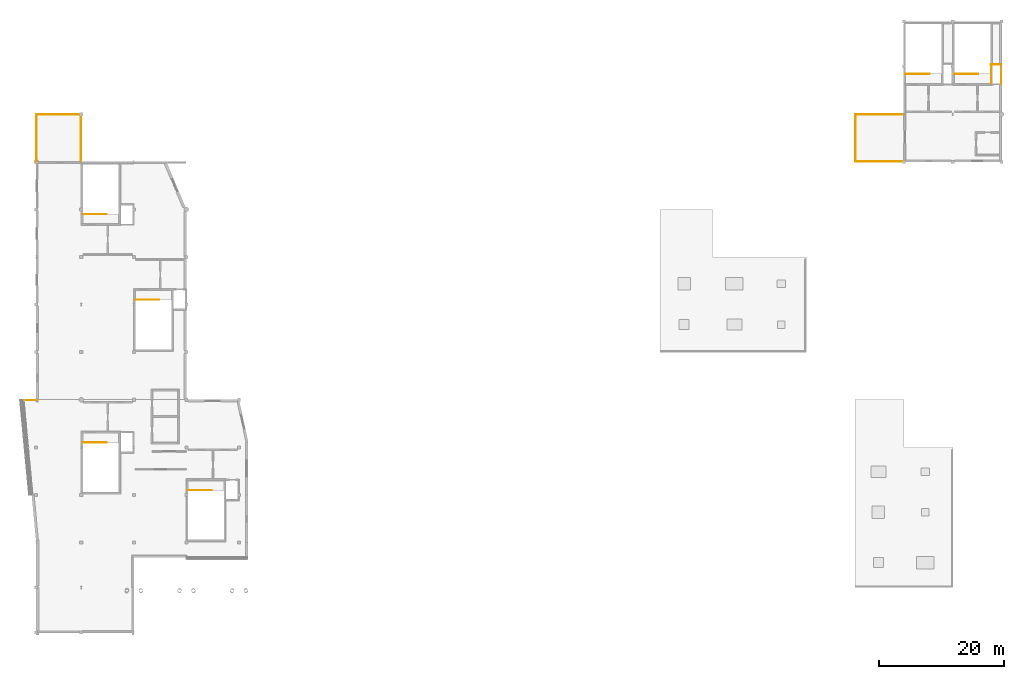
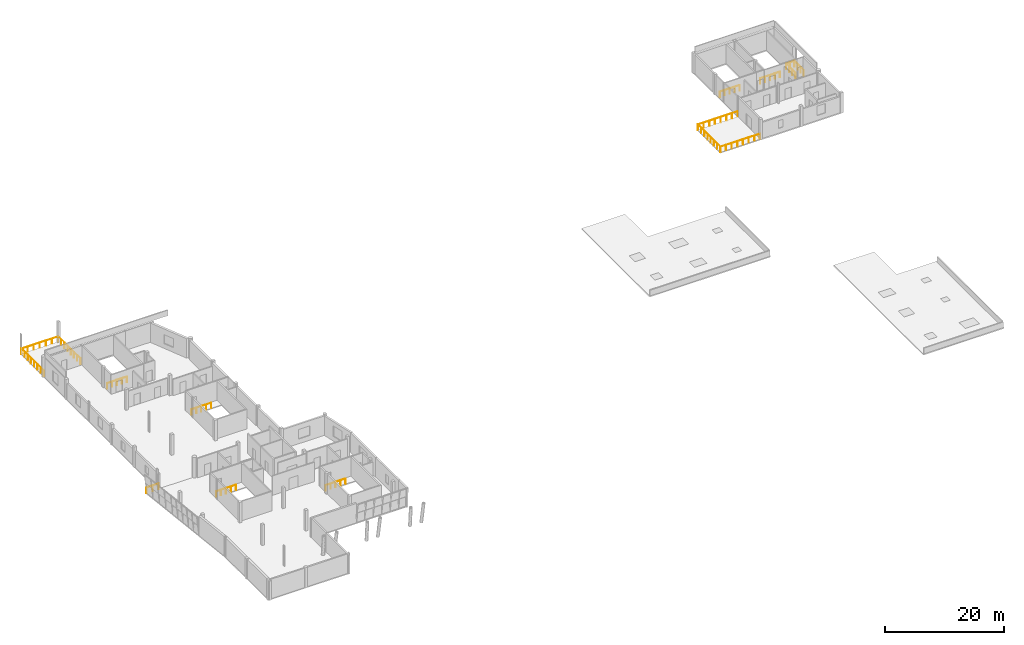
# One storey, part 17 of 17: 15 railings.
"""IFC4 building model written with IfcOpenShell, lengths in metres."""

from ifc_helpers import new_model, si_unit, direction, frame, origin, origin_2d, place, context, subcontext, project, spatial, circle, extrude, material, type_object, element, save


model = new_model("IFC4")

# Units and contexts
model_context = context("Model", 3, precision=1e-05, world=origin(), true_north=direction((0.0, 1.0)))
body_context = subcontext(model_context, "Body", "Model", "MODEL_VIEW")
ifc_project = project(units=[si_unit("LENGTHUNIT", "METRE"), si_unit("AREAUNIT", "SQUARE_METRE"), si_unit("VOLUMEUNIT", "CUBIC_METRE"), si_unit("PLANEANGLEUNIT", "RADIAN"), si_unit("MASSUNIT", "GRAM", prefix="KILO")], contexts=[model_context])

# Site, building, storey
site_placement = place(None, origin())
site = spatial("IfcSite", under=ifc_project, at=site_placement, CompositionType="ELEMENT")
building_placement = place(site_placement, origin())
building = spatial("IfcBuilding", under=site, at=building_placement, Name="Xicomal Pleat Aquarium", CompositionType="ELEMENT")
storey_placement = place(building_placement, frame((0.0, 0.0, 19.800048828125)))
storey = spatial("IfcBuildingStorey", under=building, at=storey_placement, Name="L05", CompositionType="ELEMENT", Elevation=19.800048828125)

# Railings
ifc_material_1 = material(Name="Stainless steel 316L and laminated safety glass", Category="steel")
railing_type_1 = type_object("IfcRailingType", Name="RAL-GRD-1120", PredefinedType="GUARDRAIL", material=ifc_material_1)
railing_1_placement = place(storey_placement, frame((3.06005859375, 83.5400390625, 0.0)))
element("IfcRailing", 1, at=railing_1_placement, inside=storey, type_object=railing_type_1, Name="L05 terrace perimeter guard 11", PredefinedType="GUARDRAIL", context=body_context, shape_type="SweptSolid", body=[
    extrude(circle(Radius=0.02392578125, at=origin_2d()), frame((0.0, 0.0, 1.09619140625), z_axis=(1.0, 0.0, 0.0), x_axis=(0.0, 1.0, 0.0)), (0.0, 0.0, 1.0), 7.079833984375),
    extrude(circle(Radius=0.02099609375, at=origin_2d()), origin(), (0.0, 0.0, 1.0), 1.072021484375),
    extrude(circle(Radius=0.02099609375, at=origin_2d()), frame((1.179931640625, 0.0, 0.0)), (0.0, 0.0, 1.0), 1.072021484375),
    extrude(circle(Radius=0.02099609375, at=origin_2d()), frame((2.35986328125, 0.0, 0.0)), (0.0, 0.0, 1.0), 1.072021484375),
    extrude(circle(Radius=0.02099609375, at=origin_2d()), frame((3.5400390625, 0.0, 0.0)), (0.0, 0.0, 1.0), 1.072021484375),
    extrude(circle(Radius=0.02099609375, at=origin_2d()), frame((4.719970703125, 0.0, 0.0)), (0.0, 0.0, 1.0), 1.072021484375),
    extrude(circle(Radius=0.02099609375, at=origin_2d()), frame((5.89990234375, 0.0, 0.0)), (0.0, 0.0, 1.0), 1.072021484375),
    extrude(circle(Radius=0.02099609375, at=origin_2d()), frame((7.079833984375, 0.0, 0.0)), (0.0, 0.0, 1.0), 1.072021484375),
])
railing_2_placement = place(storey_placement, frame((133.860107421875, 76.06005859375, 0.0)))
element("IfcRailing", 2, at=railing_2_placement, inside=storey, type_object=railing_type_1, Name="L05 terrace perimeter guard 13", PredefinedType="GUARDRAIL", context=body_context, shape_type="SweptSolid", body=[
    extrude(circle(Radius=0.02392578125, at=origin_2d()), frame((0.0, 0.0, 1.09619140625), z_axis=(0.0, 1.0, 0.0), x_axis=(-1.0, 0.0, 0.0)), (0.0, 0.0, 1.0), 7.47998046875),
    extrude(circle(Radius=0.02099609375, at=origin_2d()), origin(), (0.0, 0.0, 1.0), 1.072021484375),
    extrude(circle(Radius=0.02099609375, at=origin_2d()), frame((0.0, 1.068603515625, 0.0)), (0.0, 0.0, 1.0), 1.072021484375),
    extrude(circle(Radius=0.02099609375, at=origin_2d()), frame((0.0, 2.13720703125, 0.0)), (0.0, 0.0, 1.0), 1.072021484375),
    extrude(circle(Radius=0.02099609375, at=origin_2d()), frame((0.0, 3.205810546875, 0.0)), (0.0, 0.0, 1.0), 1.072021484375),
    extrude(circle(Radius=0.02099609375, at=origin_2d()), frame((0.0, 4.274169921875, 0.0)), (0.0, 0.0, 1.0), 1.072021484375),
    extrude(circle(Radius=0.02099609375, at=origin_2d()), frame((0.0, 5.3427734375, 0.0)), (0.0, 0.0, 1.0), 1.072021484375),
    extrude(circle(Radius=0.02099609375, at=origin_2d()), frame((0.0, 6.411376953125, 0.0)), (0.0, 0.0, 1.0), 1.072021484375),
    extrude(circle(Radius=0.02099609375, at=origin_2d()), frame((0.0, 7.47998046875, 0.0)), (0.0, 0.0, 1.0), 1.072021484375),
])
railing_3_placement = place(storey_placement, frame((141.5400390625, 76.06005859375, 0.0)))
element("IfcRailing", 3, at=railing_3_placement, inside=storey, type_object=railing_type_1, Name="L05 terrace perimeter guard 15", PredefinedType="GUARDRAIL", context=body_context, shape_type="SweptSolid", body=[
    extrude(circle(Radius=0.02392578125, at=origin_2d()), frame((0.0, 0.0, 1.09619140625), z_axis=(-1.0, 0.0, 0.0), x_axis=(0.0, -1.0, 0.0)), (0.0, 0.0, 1.0), 7.679931640625),
    extrude(circle(Radius=0.02099609375, at=origin_2d()), origin(), (0.0, 0.0, 1.0), 1.072021484375),
    extrude(circle(Radius=0.02099609375, at=origin_2d()), frame((-1.09716796875, 0.0, 0.0)), (0.0, 0.0, 1.0), 1.072021484375),
    extrude(circle(Radius=0.02099609375, at=origin_2d()), frame((-2.1943359375, 0.0, 0.0)), (0.0, 0.0, 1.0), 1.072021484375),
    extrude(circle(Radius=0.02099609375, at=origin_2d()), frame((-3.29150390625, 0.0, 0.0)), (0.0, 0.0, 1.0), 1.072021484375),
    extrude(circle(Radius=0.02099609375, at=origin_2d()), frame((-4.388427734375, 0.0, 0.0)), (0.0, 0.0, 1.0), 1.072021484375),
    extrude(circle(Radius=0.02099609375, at=origin_2d()), frame((-5.485595703125, 0.0, 0.0)), (0.0, 0.0, 1.0), 1.072021484375),
    extrude(circle(Radius=0.02099609375, at=origin_2d()), frame((-6.582763671875, 0.0, 0.0)), (0.0, 0.0, 1.0), 1.072021484375),
    extrude(circle(Radius=0.02099609375, at=origin_2d()), frame((-7.679931640625, 0.0, 0.0)), (0.0, 0.0, 1.0), 1.072021484375),
])
ifc_material_2 = material(Name="Stainless steel 316L and laminated safety glass", Category="steel")
railing_type_2 = type_object("IfcRailingType", Name="RAL-GRD-1150", PredefinedType="GUARDRAIL", material=ifc_material_2)
railing_4_placement = place(storey_placement, frame((3.06005859375, 76.06005859375, 0.0)))
element("IfcRailing", 4, at=railing_4_placement, inside=storey, type_object=railing_type_2, Name="L05 terrace perimeter guard 10", PredefinedType="GUARDRAIL", context=body_context, shape_type="SweptSolid", body=[
    extrude(circle(Radius=0.02392578125, at=origin_2d()), frame((0.0, 0.0, 1.1259765625), z_axis=(0.0, 1.0, 0.0), x_axis=(-1.0, 0.0, 0.0)), (0.0, 0.0, 1.0), 7.47998046875),
    extrude(circle(Radius=0.02099609375, at=origin_2d()), origin(), (0.0, 0.0, 1.0), 1.101806640625),
    extrude(circle(Radius=0.02099609375, at=origin_2d()), frame((0.0, 1.068603515625, 0.0)), (0.0, 0.0, 1.0), 1.101806640625),
    extrude(circle(Radius=0.02099609375, at=origin_2d()), frame((0.0, 2.13720703125, 0.0)), (0.0, 0.0, 1.0), 1.101806640625),
    extrude(circle(Radius=0.02099609375, at=origin_2d()), frame((0.0, 3.205810546875, 0.0)), (0.0, 0.0, 1.0), 1.101806640625),
    extrude(circle(Radius=0.02099609375, at=origin_2d()), frame((0.0, 4.274169921875, 0.0)), (0.0, 0.0, 1.0), 1.101806640625),
    extrude(circle(Radius=0.02099609375, at=origin_2d()), frame((0.0, 5.3427734375, 0.0)), (0.0, 0.0, 1.0), 1.101806640625),
    extrude(circle(Radius=0.02099609375, at=origin_2d()), frame((0.0, 6.411376953125, 0.0)), (0.0, 0.0, 1.0), 1.101806640625),
    extrude(circle(Radius=0.02099609375, at=origin_2d()), frame((0.0, 7.47998046875, 0.0)), (0.0, 0.0, 1.0), 1.101806640625),
])
railing_5_placement = place(storey_placement, frame((10.139892578125, 83.5400390625, 0.0)))
element("IfcRailing", 5, at=railing_5_placement, inside=storey, type_object=railing_type_2, Name="L05 terrace perimeter guard 12", PredefinedType="GUARDRAIL", context=body_context, shape_type="SweptSolid", body=[
    extrude(circle(Radius=0.02392578125, at=origin_2d()), frame((0.0, 0.0, 1.1259765625), z_axis=(0.0, -1.0, 0.0), x_axis=(1.0, 0.0, 0.0)), (0.0, 0.0, 1.0), 7.47998046875),
    extrude(circle(Radius=0.02099609375, at=origin_2d()), origin(), (0.0, 0.0, 1.0), 1.101806640625),
    extrude(circle(Radius=0.02099609375, at=origin_2d()), frame((0.0, -1.068603515625, 0.0)), (0.0, 0.0, 1.0), 1.101806640625),
    extrude(circle(Radius=0.02099609375, at=origin_2d()), frame((0.0, -2.13720703125, 0.0)), (0.0, 0.0, 1.0), 1.101806640625),
    extrude(circle(Radius=0.02099609375, at=origin_2d()), frame((0.0, -3.205810546875, 0.0)), (0.0, 0.0, 1.0), 1.101806640625),
    extrude(circle(Radius=0.02099609375, at=origin_2d()), frame((0.0, -4.274169921875, 0.0)), (0.0, 0.0, 1.0), 1.101806640625),
    extrude(circle(Radius=0.02099609375, at=origin_2d()), frame((0.0, -5.3427734375, 0.0)), (0.0, 0.0, 1.0), 1.101806640625),
    extrude(circle(Radius=0.02099609375, at=origin_2d()), frame((0.0, -6.411376953125, 0.0)), (0.0, 0.0, 1.0), 1.101806640625),
    extrude(circle(Radius=0.02099609375, at=origin_2d()), frame((0.0, -7.47998046875, 0.0)), (0.0, 0.0, 1.0), 1.101806640625),
])
railing_6_placement = place(storey_placement, frame((133.860107421875, 83.5400390625, 0.0)))
element("IfcRailing", 6, at=railing_6_placement, inside=storey, type_object=railing_type_2, Name="L05 terrace perimeter guard 14", PredefinedType="GUARDRAIL", context=body_context, shape_type="SweptSolid", body=[
    extrude(circle(Radius=0.02392578125, at=origin_2d()), frame((0.0, 0.0, 1.1259765625), z_axis=(1.0, 0.0, 0.0), x_axis=(0.0, 1.0, 0.0)), (0.0, 0.0, 1.0), 7.679931640625),
    extrude(circle(Radius=0.02099609375, at=origin_2d()), origin(), (0.0, 0.0, 1.0), 1.101806640625),
    extrude(circle(Radius=0.02099609375, at=origin_2d()), frame((1.09716796875, 0.0, 0.0)), (0.0, 0.0, 1.0), 1.101806640625),
    extrude(circle(Radius=0.02099609375, at=origin_2d()), frame((2.1943359375, 0.0, 0.0)), (0.0, 0.0, 1.0), 1.101806640625),
    extrude(circle(Radius=0.02099609375, at=origin_2d()), frame((3.29150390625, 0.0, 0.0)), (0.0, 0.0, 1.0), 1.101806640625),
    extrude(circle(Radius=0.02099609375, at=origin_2d()), frame((4.388427734375, 0.0, 0.0)), (0.0, 0.0, 1.0), 1.101806640625),
    extrude(circle(Radius=0.02099609375, at=origin_2d()), frame((5.485595703125, 0.0, 0.0)), (0.0, 0.0, 1.0), 1.101806640625),
    extrude(circle(Radius=0.02099609375, at=origin_2d()), frame((6.582763671875, 0.0, 0.0)), (0.0, 0.0, 1.0), 1.101806640625),
    extrude(circle(Radius=0.02099609375, at=origin_2d()), frame((7.679931640625, 0.0, 0.0)), (0.0, 0.0, 1.0), 1.101806640625),
])
railing_7_placement = place(storey_placement, frame((155.5, 91.52001953125, 0.0)))
element("IfcRailing", 7, at=railing_7_placement, inside=storey, type_object=railing_type_2, Name="L05 slab setback perimeter guard GR-EDG-L05-01", PredefinedType="GUARDRAIL", context=body_context, shape_type="SweptSolid", body=[
    extrude(circle(Radius=0.02392578125, at=origin_2d()), frame((0.0, 0.0, 1.1259765625), z_axis=(1.0, 0.0, 0.0), x_axis=(0.0, 1.0, 0.0)), (0.0, 0.0, 1.0), 1.6201171875),
    extrude(circle(Radius=0.02392578125, at=origin_2d()), frame((1.6201171875, 0.0, 1.1259765625), z_axis=(0.0, -1.0, 0.0), x_axis=(1.0, 0.0, 0.0)), (0.0, 0.0, 1.0), 3.1201171875),
    extrude(circle(Radius=0.02099609375, at=origin_2d()), origin(), (0.0, 0.0, 1.0), 1.101806640625),
    extrude(circle(Radius=0.02099609375, at=origin_2d()), frame((0.81005859375, 0.0, 0.0)), (0.0, 0.0, 1.0), 1.101806640625),
    extrude(circle(Radius=0.02099609375, at=origin_2d()), frame((1.6201171875, 0.0, 0.0)), (0.0, 0.0, 1.0), 1.101806640625),
    extrude(circle(Radius=0.02099609375, at=origin_2d()), frame((1.6201171875, -1.0400390625, 0.0)), (0.0, 0.0, 1.0), 1.101806640625),
    extrude(circle(Radius=0.02099609375, at=origin_2d()), frame((1.6201171875, -2.080078125, 0.0)), (0.0, 0.0, 1.0), 1.101806640625),
    extrude(circle(Radius=0.02099609375, at=origin_2d()), frame((1.6201171875, -3.1201171875, 0.0)), (0.0, 0.0, 1.0), 1.101806640625),
])
railing_8_placement = place(storey_placement, frame((155.5400390625, 88.449951171875, 0.0)))
element("IfcRailing", 8, at=railing_8_placement, inside=storey, type_object=railing_type_2, Name="L05 slab setback perimeter guard GR-EDG-L05-02", PredefinedType="GUARDRAIL", context=body_context, shape_type="SweptSolid", body=[
    extrude(circle(Radius=0.02392578125, at=origin_2d()), frame((0.0, 0.0, 1.1259765625), z_axis=(0.0, 1.0, 0.0), x_axis=(-1.0, 0.0, 0.0)), (0.0, 0.0, 1.0), 3.070068359375),
    extrude(circle(Radius=0.02099609375, at=origin_2d()), origin(), (0.0, 0.0, 1.0), 1.101806640625),
    extrude(circle(Radius=0.02099609375, at=origin_2d()), frame((0.0, 1.0234375, 0.0)), (0.0, 0.0, 1.0), 1.101806640625),
    extrude(circle(Radius=0.02099609375, at=origin_2d()), frame((0.0, 2.046630859375, 0.0)), (0.0, 0.0, 1.0), 1.101806640625),
    extrude(circle(Radius=0.02099609375, at=origin_2d()), frame((0.0, 3.070068359375, 0.0)), (0.0, 0.0, 1.0), 1.101806640625),
])
railing_9_placement = place(storey_placement, frame((0.89990234375, 37.919921875, 0.0)))
element("IfcRailing", 9, at=railing_9_placement, inside=storey, type_object=railing_type_2, Name="L05 slab setback perimeter guard GR-EDG-L05-03", PredefinedType="GUARDRAIL", context=body_context, shape_type="SweptSolid", body=[
    extrude(circle(Radius=0.02392578125, at=origin_2d()), frame((0.0, 0.0, 1.1259765625), z_axis=(1.0, 0.0, 0.0), x_axis=(0.0, 1.0, 0.0)), (0.0, 0.0, 1.0), 2.35009765625),
    extrude(circle(Radius=0.02099609375, at=origin_2d()), origin(), (0.0, 0.0, 1.0), 1.101806640625),
    extrude(circle(Radius=0.02099609375, at=origin_2d()), frame((1.175048828125, 0.0, 0.0)), (0.0, 0.0, 1.0), 1.101806640625),
    extrude(circle(Radius=0.02099609375, at=origin_2d()), frame((2.35009765625, 0.0, 0.0)), (0.0, 0.0, 1.0), 1.101806640625),
])
ifc_material_3 = material(Name="Brushed stainless steel 316L", Category="steel")
railing_type_3 = type_object("IfcRailingType", Name="RAL-STG-1120", PredefinedType="GUARDRAIL", material=ifc_material_3)
for number, where, name in (
    (10, (10.43994140625, 31.159912109375, 0.0), "ST-01 top landing well guard"),
    (11, (27.239990234375, 23.56005859375, 0.0), "ST-02 top landing well guard"),
    (12, (10.43994140625, 67.639892578125, 0.0), "ST-03 top landing well guard"),
):
    element("IfcRailing", number, at=place(storey_placement, frame(where)), inside=storey, type_object=railing_type_3, Name=name, PredefinedType="GUARDRAIL", context=body_context, shape_type="SweptSolid", body=[
        extrude(circle(Radius=0.02392578125, at=origin_2d()), frame((0.0, 0.0, 1.09619140625), z_axis=(1.0, 0.0, 0.0), x_axis=(0.0, 1.0, 0.0)), (0.0, 0.0, 1.0), 3.820068359375),
        extrude(circle(Radius=0.02099609375, at=origin_2d()), origin(), (0.0, 0.0, 1.0), 1.072021484375),
        extrude(circle(Radius=0.02099609375, at=origin_2d()), frame((0.955078125, 0.0, 0.0)), (0.0, 0.0, 1.0), 1.072021484375),
        extrude(circle(Radius=0.02099609375, at=origin_2d()), frame((1.91015625, 0.0, 0.0)), (0.0, 0.0, 1.0), 1.072021484375),
        extrude(circle(Radius=0.02099609375, at=origin_2d()), frame((2.864990234375, 0.0, 0.0)), (0.0, 0.0, 1.0), 1.072021484375),
        extrude(circle(Radius=0.02099609375, at=origin_2d()), frame((3.820068359375, 0.0, 0.0)), (0.0, 0.0, 1.0), 1.072021484375),
    ])
for number, where, name in (
    (13, (18.840087890625, 53.9599609375, 0.0), "ST-04 top landing well guard"),
    (14, (141.840087890625, 90.0400390625, 0.0), "ST-05 top landing well guard"),
):
    element("IfcRailing", number, at=place(storey_placement, frame(where)), inside=storey, type_object=railing_type_3, Name=name, PredefinedType="GUARDRAIL", context=body_context, shape_type="SweptSolid", body=[
        extrude(circle(Radius=0.02392578125, at=origin_2d()), frame((0.0, 0.0, 1.09619140625), z_axis=(1.0, 0.0, 0.0), x_axis=(0.0, 1.0, 0.0)), (0.0, 0.0, 1.0), 3.81982421875),
        extrude(circle(Radius=0.02099609375, at=origin_2d()), origin(), (0.0, 0.0, 1.0), 1.072021484375),
        extrude(circle(Radius=0.02099609375, at=origin_2d()), frame((0.955078125, 0.0, 0.0)), (0.0, 0.0, 1.0), 1.072021484375),
        extrude(circle(Radius=0.02099609375, at=origin_2d()), frame((1.909912109375, 0.0, 0.0)), (0.0, 0.0, 1.0), 1.072021484375),
        extrude(circle(Radius=0.02099609375, at=origin_2d()), frame((2.86474609375, 0.0, 0.0)), (0.0, 0.0, 1.0), 1.072021484375),
        extrude(circle(Radius=0.02099609375, at=origin_2d()), frame((3.81982421875, 0.0, 0.0)), (0.0, 0.0, 1.0), 1.072021484375),
    ])
railing_10_placement = place(storey_placement, frame((149.639892578125, 90.0400390625, 0.0)))
element("IfcRailing", 15, at=railing_10_placement, inside=storey, type_object=railing_type_3, Name="ST-06 top landing well guard", PredefinedType="GUARDRAIL", context=body_context, shape_type="SweptSolid", body=[
    extrude(circle(Radius=0.02392578125, at=origin_2d()), frame((0.0, 0.0, 1.09619140625), z_axis=(1.0, 0.0, 0.0), x_axis=(0.0, 1.0, 0.0)), (0.0, 0.0, 1.0), 3.820068359375),
    extrude(circle(Radius=0.02099609375, at=origin_2d()), origin(), (0.0, 0.0, 1.0), 1.072021484375),
    extrude(circle(Radius=0.02099609375, at=origin_2d()), frame((0.955078125, 0.0, 0.0)), (0.0, 0.0, 1.0), 1.072021484375),
    extrude(circle(Radius=0.02099609375, at=origin_2d()), frame((1.91015625, 0.0, 0.0)), (0.0, 0.0, 1.0), 1.072021484375),
    extrude(circle(Radius=0.02099609375, at=origin_2d()), frame((2.864990234375, 0.0, 0.0)), (0.0, 0.0, 1.0), 1.072021484375),
    extrude(circle(Radius=0.02099609375, at=origin_2d()), frame((3.820068359375, 0.0, 0.0)), (0.0, 0.0, 1.0), 1.072021484375),
])

save(model, "model.ifc")
